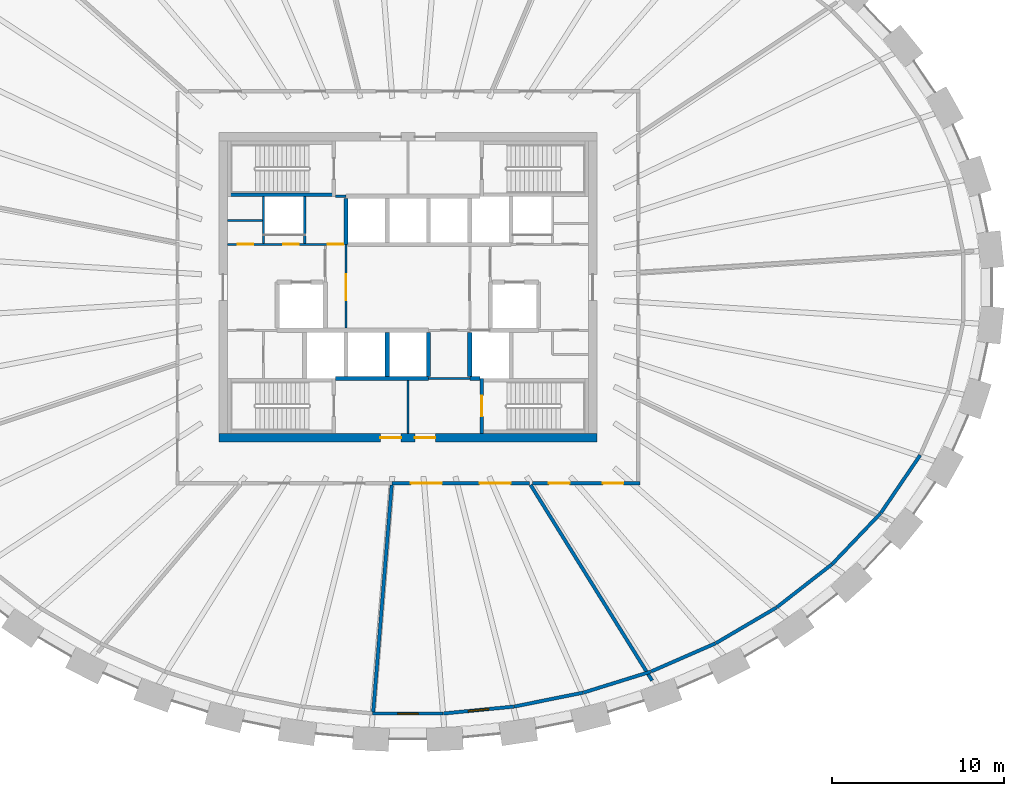
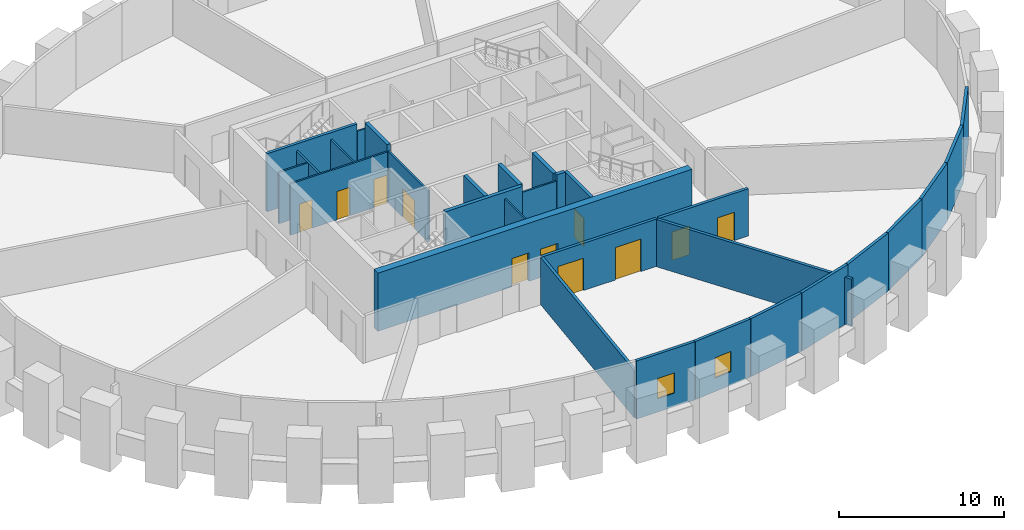
# One storey, part 4 of 8: 30 walls, 11 doors, 2 windows, 13 openings.
"""IFC4 building model written with IfcOpenShell, lengths in metres."""

from ifc_helpers import new_model, si_unit, direction, frame, frame_2d, origin, place, context, subcontext, project, spatial, rectangle, extrude, source, transform, mapped, material, layer, layer_set, type_object, element, fill, save


model = new_model("IFC4")

# Units and contexts
model_context = context("Model", 3, precision=1e-05, world=origin(), true_north=direction((0.0, 1.0)))
body_context = subcontext(model_context, "Body", "Model", "MODEL_VIEW")
ifc_project = project(units=[si_unit("LENGTHUNIT", "METRE"), si_unit("AREAUNIT", "SQUARE_METRE"), si_unit("VOLUMEUNIT", "CUBIC_METRE"), si_unit("PLANEANGLEUNIT", "RADIAN"), si_unit("MASSUNIT", "GRAM", prefix="KILO")], contexts=[model_context])

# Site, building, storey
site_placement = place(None, origin())
site = spatial("IfcSite", under=ifc_project, at=site_placement, CompositionType="ELEMENT")
building_placement = place(site_placement, origin())
building = spatial("IfcBuilding", under=site, at=building_placement, Name="Embergate Tower", CompositionType="ELEMENT")
storey_placement = place(building_placement, frame((0.0, 0.0, 241.60009765625)))
storey = spatial("IfcBuildingStorey", under=building, at=storey_placement, Name="L55", CompositionType="ELEMENT", Elevation=241.60009765625)

# Wall, openings, doors
ifc_material_1 = material(Name="Concrete C50", Category="concrete")
ifc_layer_1 = layer(ifc_material_1, 0.5)
ifc_layer_set_1 = layer_set([ifc_layer_1], Name="Concrete C50")
wall_type_1 = type_object("IfcWallType", Name="Core outer wall C50 500", PredefinedType="SHEAR", material=ifc_layer_set_1)
shared_shape_1 = source(origin(), body_context, "Body", "SweptSolid", [
    extrude(rectangle(XDim=22.0, YDim=0.5, at=frame_2d((11.0, 0.0))), origin(), (0.0, 0.0, 1.0), 4.2998046875),
])
wall_1_placement = place(storey_placement, frame((-11.0, -8.75, 0.0), z_axis=(0.0, 0.0, 1.0), x_axis=(1.0, 0.0, 0.0)))
wall_1 = element("IfcWall", 1, at=wall_1_placement, inside=storey, type_object=wall_type_1, Name="CW-L55-S", PredefinedType="SHEAR", context=body_context, shape_type="MappedRepresentation", body=[
    mapped(shared_shape_1, transform((0.0, 0.0, 0.0))),
])
shared_shape_2 = source(origin(), body_context, "Body", "SweptSolid", [
    extrude(rectangle(XDim=1.199951171875, YDim=2.10009765625, at=frame_2d((0.60009765625, 1.050048828125))), frame((0.0, 0.260009765625, 0.0), z_axis=(0.0, -1.0, 0.0), x_axis=(1.0, 0.0, 0.0)), (0.0, 0.0, 1.0), 0.52001953125),
])
opening_1_placement = place(wall_1_placement, frame((9.39990234375, 0.0, 0.0)))
opening_1 = element("IfcOpeningElement", 2, at=opening_1_placement, cuts=wall_1, Name="Opening IF-1", PredefinedType="OPENING", context=body_context, shape_type="MappedRepresentation", body=[
    mapped(shared_shape_2, transform((0.0, 0.0, 0.0))),
])
opening_2_placement = place(wall_1_placement, frame((11.39990234375, 0.0, 0.0)))
opening_2 = element("IfcOpeningElement", 3, at=opening_2_placement, cuts=wall_1, Name="Opening IF-1", PredefinedType="OPENING", context=body_context, shape_type="MappedRepresentation", body=[
    mapped(shared_shape_2, transform((0.0, 0.0, 0.0))),
])
ifc_material_2 = material(Name="Escape fire door 1200")
door_type_1 = type_object("IfcDoorType", Name="Escape fire door 1200", OperationType="SINGLE_SWING_LEFT", PredefinedType="DOOR", material=ifc_material_2)
shared_shape_3 = source(origin(), body_context, "Body", "SweptSolid", [
    extrude(rectangle(XDim=1.199951171875, YDim=2.10009765625, at=frame_2d((0.60009765625, 1.050048828125))), frame((0.0, 0.02490234375, 0.0), z_axis=(0.0, -1.0, 0.0), x_axis=(1.0, 0.0, 0.0)), (0.0, 0.0, 1.0), 0.050048828125),
])
door_1_placement = place(opening_1_placement, origin())
door_1 = element("IfcDoor", 4, at=door_1_placement, inside=storey, type_object=door_type_1, Name="IF-1 door", OperationType="SINGLE_SWING_LEFT", OverallHeight=2.10009765625, OverallWidth=1.199951171875, PredefinedType="DOOR", context=body_context, shape_type="MappedRepresentation", body=[
    mapped(shared_shape_3, transform((0.0, 0.0, 0.0))),
])
fill(opening_1, door_1)
door_2_placement = place(opening_2_placement, origin())
door_2 = element("IfcDoor", 5, at=door_2_placement, inside=storey, type_object=door_type_1, Name="IF-1 door", OperationType="SINGLE_SWING_LEFT", OverallHeight=2.10009765625, OverallWidth=1.199951171875, PredefinedType="DOOR", context=body_context, shape_type="MappedRepresentation", body=[
    mapped(shared_shape_3, transform((0.0, 0.0, 0.0))),
])
fill(opening_2, door_2)

# Walls
ifc_material_3 = material(Name="Terracotta louvre cladding on insulated backing", Category="masonry")
ifc_layer_2 = layer(ifc_material_3, 0.199951171875)
ifc_layer_set_2 = layer_set([ifc_layer_2], Name="Terracotta louvre cladding on insulated backing")
wall_type_2 = type_object("IfcWallType", Name="Terracotta louvre wall", PredefinedType="SOLIDWALL", material=ifc_layer_set_2)
shared_shape_4 = source(origin(), body_context, "Body", "SweptSolid", [
    extrude(rectangle(XDim=4.066650390625, YDim=0.199951171875, at=frame_2d((2.033203125, 0.0))), origin(), (0.0, 0.0, 1.0), 4.2998046875),
])
wall_2_placement = place(storey_placement, frame((29.794921875, -9.756591796875, 0.0), z_axis=(0.0, 0.0, 1.0), x_axis=(-0.562337936213, -0.826907519312, 0.0)))
element("IfcWall", 6, at=wall_2_placement, inside=storey, type_object=wall_type_2, Name="Louvre wall 41", PredefinedType="SOLIDWALL", context=body_context, shape_type="MappedRepresentation", body=[
    mapped(shared_shape_4, transform((0.0, 0.0, 0.0))),
])
shared_shape_5 = source(origin(), body_context, "Body", "SweptSolid", [
    extrude(rectangle(XDim=4.0751953125, YDim=0.199951171875, at=frame_2d((2.03759765625, 0.0))), origin(), (0.0, 0.0, 1.0), 4.2998046875),
])
wall_3_placement = place(storey_placement, frame((27.49560546875, -13.135009765625, 0.0), z_axis=(0.0, 0.0, 1.0), x_axis=(-0.690133711383, -0.723681877908, 0.0)))
element("IfcWall", 7, at=wall_3_placement, inside=storey, type_object=wall_type_2, Name="Louvre wall 40", PredefinedType="SOLIDWALL", context=body_context, shape_type="MappedRepresentation", body=[
    mapped(shared_shape_5, transform((0.0, 0.0, 0.0))),
])
shared_shape_6 = source(origin(), body_context, "Body", "SweptSolid", [
    extrude(rectangle(XDim=4.0830078125, YDim=0.199951171875, at=frame_2d((2.04150390625, 0.0))), origin(), (0.0, 0.0, 1.0), 4.2998046875),
])
wall_4_placement = place(storey_placement, frame((24.668212890625, -16.09765625, 0.0), z_axis=(0.0, 0.0, 1.0), x_axis=(-0.788314368781, -0.615272667988, 0.0)))
element("IfcWall", 8, at=wall_4_placement, inside=storey, type_object=wall_type_2, Name="Louvre wall 39", PredefinedType="SOLIDWALL", context=body_context, shape_type="MappedRepresentation", body=[
    mapped(shared_shape_6, transform((0.0, 0.0, 0.0))),
])
shared_shape_7 = source(origin(), body_context, "Body", "SweptSolid", [
    extrude(rectangle(XDim=4.0888671875, YDim=0.199951171875, at=frame_2d((2.04443359375, 0.0))), origin(), (0.0, 0.0, 1.0), 4.2998046875),
])
wall_5_placement = place(storey_placement, frame((21.43310546875, -18.62109375, 0.0), z_axis=(0.0, 0.0, 1.0), x_axis=(-0.862063119584, -0.506800925269, 0.0)))
element("IfcWall", 9, at=wall_5_placement, inside=storey, type_object=wall_type_2, Name="Louvre wall 38", PredefinedType="SOLIDWALL", context=body_context, shape_type="MappedRepresentation", body=[
    mapped(shared_shape_7, transform((0.0, 0.0, 0.0))),
])
shared_shape_8 = source(origin(), body_context, "Body", "SweptSolid", [
    extrude(rectangle(XDim=4.09375, YDim=0.199951171875, at=frame_2d((2.046875, 0.0))), origin(), (0.0, 0.0, 1.0), 4.2998046875),
])
wall_6_placement = place(storey_placement, frame((17.890380859375, -20.702392578125, 0.0), z_axis=(0.0, 0.0, 1.0), x_axis=(-0.916229864061, -0.400653012222, 0.0)))
element("IfcWall", 10, at=wall_6_placement, inside=storey, type_object=wall_type_2, Name="Louvre wall 37", PredefinedType="SOLIDWALL", context=body_context, shape_type="MappedRepresentation", body=[
    mapped(shared_shape_8, transform((0.0, 0.0, 0.0))),
])
shared_shape_9 = source(origin(), body_context, "Body", "SweptSolid", [
    extrude(rectangle(XDim=4.096923828125, YDim=0.199951171875, at=frame_2d((2.04833984375, 0.0))), origin(), (0.0, 0.0, 1.0), 4.2998046875),
])
wall_7_placement = place(storey_placement, frame((14.120849609375, -22.349609375, 0.0), z_axis=(0.0, 0.0, 1.0), x_axis=(-0.954782746395, -0.297304401558, 0.0)))
element("IfcWall", 11, at=wall_7_placement, inside=storey, type_object=wall_type_2, Name="Louvre wall 36", PredefinedType="SOLIDWALL", context=body_context, shape_type="MappedRepresentation", body=[
    mapped(shared_shape_9, transform((0.0, 0.0, 0.0))),
])
shared_shape_10 = source(origin(), body_context, "Body", "SweptSolid", [
    extrude(rectangle(XDim=4.09912109375, YDim=0.199951171875, at=frame_2d((2.049560546875, 0.0))), origin(), (0.0, 0.0, 1.0), 4.2998046875),
])
wall_8_placement = place(storey_placement, frame((10.18994140625, -23.572509765625, 0.0), z_axis=(0.0, 0.0, 1.0), x_axis=(-0.980470565335, -0.196665885478, 0.0)))
element("IfcWall", 12, at=wall_8_placement, inside=storey, type_object=wall_type_2, Name="Louvre wall 35", PredefinedType="SOLIDWALL", context=body_context, shape_type="MappedRepresentation", body=[
    mapped(shared_shape_10, transform((0.0, 0.0, 0.0))),
])

# Wall, opening, window
shared_shape_11 = source(origin(), body_context, "Body", "SweptSolid", [
    extrude(rectangle(XDim=4.1005859375, YDim=0.199951171875, at=frame_2d((2.05029296875, 0.0))), origin(), (0.0, 0.0, 1.0), 4.2998046875),
])
wall_9_placement = place(storey_placement, frame((2.05029296875, -24.78369140625, 0.0), z_axis=(0.0, 0.0, 1.0), x_axis=(-1.0, 0.0, 0.0)))
wall_9 = element("IfcWall", 13, at=wall_9_placement, inside=storey, type_object=wall_type_2, Name="Louvre wall 33", PredefinedType="SOLIDWALL", context=body_context, shape_type="MappedRepresentation", body=[
    mapped(shared_shape_11, transform((0.0, 0.0, 0.0))),
])
shared_shape_12 = source(origin(), body_context, "Body", "SweptSolid", [
    extrude(rectangle(XDim=1.199951171875, YDim=1.5, at=frame_2d((0.60009765625, 0.75))), frame((0.0, 0.10986328125, 0.0), z_axis=(0.0, -1.0, 0.0), x_axis=(1.0, 0.0, 0.0)), (0.0, 0.0, 1.0), 0.219970703125),
])
opening_3_placement = place(wall_9_placement, frame((1.450439453125, 0.0, 1.0)))
opening_3 = element("IfcOpeningElement", 14, at=opening_3_placement, cuts=wall_9, Name="Opening RW", PredefinedType="OPENING", context=body_context, shape_type="MappedRepresentation", body=[
    mapped(shared_shape_12, transform((0.0, 0.0, 0.0))),
])
ifc_material_4 = material(Name="Aluminium, thermally broken, triple glazed", Category="aluminium")
window_type = type_object("IfcWindowType", Name="Refuge operable window", PartitioningType="SINGLE_PANEL", PredefinedType="WINDOW", material=ifc_material_4)
shared_shape_13 = source(origin(), body_context, "Body", "SweptSolid", [
    extrude(rectangle(XDim=1.199951171875, YDim=1.5, at=frame_2d((0.60009765625, 0.75))), frame((0.0, 0.030029296875, 0.0), z_axis=(0.0, -1.0, 0.0), x_axis=(1.0, 0.0, 0.0)), (0.0, 0.0, 1.0), 0.06005859375),
])
window_1_placement = place(opening_3_placement, origin())
window_1 = element("IfcWindow", 15, at=window_1_placement, inside=storey, type_object=window_type, Name="Refuge window 33", OverallHeight=1.5, OverallWidth=1.199951171875, PartitioningType="SINGLE_PANEL", PredefinedType="WINDOW", context=body_context, shape_type="MappedRepresentation", body=[
    mapped(shared_shape_13, transform((0.0, 0.0, 0.0))),
])
fill(opening_3, window_1)

wall_10_placement = place(storey_placement, frame((6.151123046875, -24.381591796875, 0.0), z_axis=(0.0, 0.0, 1.0), x_axis=(-0.995203779516, -0.097823500433, 0.0)))
wall_10 = element("IfcWall", 16, at=wall_10_placement, inside=storey, type_object=wall_type_2, Name="Louvre wall 34", PredefinedType="SOLIDWALL", context=body_context, shape_type="MappedRepresentation", body=[
    mapped(shared_shape_11, transform((0.0, 0.0, 0.0))),
])
opening_4_placement = place(wall_10_placement, frame((1.4501953125, 0.0, 1.0)))
opening_4 = element("IfcOpeningElement", 17, at=opening_4_placement, cuts=wall_10, Name="Opening RW", PredefinedType="OPENING", context=body_context, shape_type="MappedRepresentation", body=[
    mapped(shared_shape_12, transform((0.0, 0.0, 0.0))),
])
window_2_placement = place(opening_4_placement, origin())
window_2 = element("IfcWindow", 18, at=window_2_placement, inside=storey, type_object=window_type, Name="Refuge window 34", OverallHeight=1.5, OverallWidth=1.199951171875, PartitioningType="SINGLE_PANEL", PredefinedType="WINDOW", context=body_context, shape_type="MappedRepresentation", body=[
    mapped(shared_shape_13, transform((0.0, 0.0, 0.0))),
])
fill(opening_4, window_2)

# Walls
ifc_layer_3 = layer(ifc_material_1, 0.25)
ifc_layer_set_3 = layer_set([ifc_layer_3], Name="Concrete C50")
wall_type_3 = type_object("IfcWallType", Name="Hoistway wall reinforced concrete 250", PredefinedType="SHEAR", material=ifc_layer_set_3)
shared_shape_14 = source(origin(), body_context, "Body", "SweptSolid", [
    extrude(rectangle(XDim=2.675048828125, YDim=0.25, at=frame_2d((1.33740234375, 0.0))), origin(), (0.0, 0.0, 1.0), 4.2998046875),
])
wall_11_placement = place(storey_placement, frame((-3.60009765625, 5.175048828125, 0.0), z_axis=(0.0, 0.0, 1.0), x_axis=(0.0, -1.0, 0.0)))
element("IfcWall", 19, at=wall_11_placement, inside=storey, type_object=wall_type_3, Name="HW-1 wall", PredefinedType="SHEAR", context=body_context, shape_type="MappedRepresentation", body=[
    mapped(shared_shape_14, transform((0.0, 0.0, 0.0))),
])
ifc_layer_4 = layer(ifc_material_1, 0.199951171875)
ifc_layer_set_4 = layer_set([ifc_layer_4], Name="Concrete C50")
wall_type_4 = type_object("IfcWallType", Name="Stair enclosure wall reinforced concrete 250", PredefinedType="SHEAR", material=ifc_layer_set_4)
shared_shape_15 = source(origin(), body_context, "Body", "SweptSolid", [
    extrude(rectangle(XDim=6.300048828125, YDim=0.199951171875, at=frame_2d((3.14990234375, 0.0))), origin(), (0.0, 0.0, 1.0), 4.2998046875),
])
wall_12_placement = place(storey_placement, frame((-4.199951171875, 5.39990234375, 0.0), z_axis=(0.0, 0.0, 1.0), x_axis=(-1.0, 0.0, 0.0)))
element("IfcWall", 20, at=wall_12_placement, inside=storey, type_object=wall_type_4, Name="SE-1 wall", PredefinedType="SHEAR", context=body_context, shape_type="MappedRepresentation", body=[
    mapped(shared_shape_15, transform((0.0, 0.0, 0.0))),
])
ifc_material_5 = material(Name="Core partition blockwork 120")
ifc_layer_5 = layer(ifc_material_5, 0.1201171875)
ifc_layer_set_5 = layer_set([ifc_layer_5], Name="Core partition blockwork 120")
wall_type_5 = type_object("IfcWallType", Name="Core partition blockwork 120", PredefinedType="PARTITIONING", material=ifc_layer_set_5)
shared_shape_16 = source(origin(), body_context, "Body", "SweptSolid", [
    extrude(rectangle(XDim=2.739990234375, YDim=0.1201171875, at=frame_2d((1.3701171875, 0.0))), origin(), (0.0, 0.0, 1.0), 3.7998046875),
])
wall_13_placement = place(storey_placement, frame((-6.0, 2.56005859375, 0.0), z_axis=(0.0, 0.0, 1.0), x_axis=(0.0, 1.0, 0.0)))
element("IfcWall", 21, at=wall_13_placement, inside=storey, type_object=wall_type_5, Name="IP-3 wall", PredefinedType="PARTITIONING", context=body_context, shape_type="MappedRepresentation", body=[
    mapped(shared_shape_16, transform((0.0, 0.0, 0.0))),
])
shared_shape_17 = source(origin(), body_context, "Body", "SweptSolid", [
    extrude(rectangle(XDim=2.550048828125, YDim=0.25, at=frame_2d((1.27490234375, 0.0))), origin(), (0.0, 0.0, 1.0), 4.2998046875),
])
for number, where, z_axis, x_axis, name in (
    (22, (-1.199951171875, -5.175048828125, 0.0), (0.0, 0.0, 1.0), (0.0, 1.0, 0.0), "HW-1 wall"),
    (23, (1.199951171875, -5.175048828125, 0.0), (0.0, 0.0, 1.0), (0.0, 1.0, 0.0), "HW-1 wall"),
    (24, (3.60009765625, -2.625, 0.0), (0.0, 0.0, 1.0), (0.0, -1.0, 0.0), "HW-1 wall"),
):
    element("IfcWall", number, at=place(storey_placement, frame(where, z_axis=z_axis, x_axis=x_axis)), inside=storey, type_object=wall_type_3, Name=name, PredefinedType="SHEAR", context=body_context, shape_type="MappedRepresentation", body=[
        mapped(shared_shape_17, transform((0.0, 0.0, 0.0))),
    ])

# Wall, opening, door
shared_shape_18 = source(origin(), body_context, "Body", "SweptSolid", [
    extrude(rectangle(XDim=3.199951171875, YDim=0.199951171875, at=frame_2d((1.60009765625, 0.0))), origin(), (0.0, 0.0, 1.0), 4.2998046875),
])
wall_14_placement = place(storey_placement, frame((4.300048828125, -5.300048828125, 0.0), z_axis=(0.0, 0.0, 1.0), x_axis=(0.0, -1.0, 0.0)))
wall_14 = element("IfcWall", 25, at=wall_14_placement, inside=storey, type_object=wall_type_4, Name="SE-1 wall", PredefinedType="SHEAR", context=body_context, shape_type="MappedRepresentation", body=[
    mapped(shared_shape_18, transform((0.0, 0.0, 0.0))),
])
shared_shape_19 = source(origin(), body_context, "Body", "SweptSolid", [
    extrude(rectangle(XDim=1.199951171875, YDim=2.10009765625, at=frame_2d((0.60009765625, 1.050048828125))), frame((0.0, 0.10986328125, 0.0), z_axis=(0.0, -1.0, 0.0), x_axis=(1.0, 0.0, 0.0)), (0.0, 0.0, 1.0), 0.219970703125),
])
opening_5_placement = place(wall_14_placement, frame((1.0, 0.0, 0.0)))
opening_5 = element("IfcOpeningElement", 26, at=opening_5_placement, cuts=wall_14, Name="Opening IF-2", PredefinedType="OPENING", context=body_context, shape_type="MappedRepresentation", body=[
    mapped(shared_shape_19, transform((0.0, 0.0, 0.0))),
])
ifc_material_6 = material(Name="Stair enclosure door 1200")
door_type_2 = type_object("IfcDoorType", Name="Stair enclosure door 1200", OperationType="SINGLE_SWING_LEFT", PredefinedType="DOOR", material=ifc_material_6)
door_3_placement = place(opening_5_placement, origin())
door_3 = element("IfcDoor", 27, at=door_3_placement, inside=storey, type_object=door_type_2, Name="IF-2 door", OperationType="SINGLE_SWING_LEFT", OverallHeight=2.10009765625, OverallWidth=1.199951171875, PredefinedType="DOOR", context=body_context, shape_type="MappedRepresentation", body=[
    mapped(shared_shape_3, transform((0.0, 0.0, 0.0))),
])
fill(opening_5, door_3)

# Wall
shared_shape_20 = source(origin(), body_context, "Body", "SweptSolid", [
    extrude(rectangle(XDim=0.599853515625, YDim=0.25, at=frame_2d((0.2998046875, 0.0))), origin(), (0.0, 0.0, 1.0), 4.2998046875),
])
wall_15_placement = place(storey_placement, frame((3.60009765625, -5.300048828125, 0.0), z_axis=(0.0, 0.0, 1.0), x_axis=(1.0, 0.0, 0.0)))
element("IfcWall", 28, at=wall_15_placement, inside=storey, type_object=wall_type_3, Name="HW-1 wall", PredefinedType="SHEAR", context=body_context, shape_type="MappedRepresentation", body=[
    mapped(shared_shape_20, transform((0.0, 0.0, 0.0))),
])

# Wall, openings, doors
shared_shape_21 = source(origin(), body_context, "Body", "SweptSolid", [
    extrude(rectangle(XDim=6.77490234375, YDim=0.1201171875, at=frame_2d((3.387451171875, 0.0))), origin(), (0.0, 0.0, 1.0), 3.7998046875),
])
wall_16_placement = place(storey_placement, frame((-10.5, 2.5, 0.0), z_axis=(0.0, 0.0, 1.0), x_axis=(1.0, 0.0, 0.0)))
wall_16 = element("IfcWall", 29, at=wall_16_placement, inside=storey, type_object=wall_type_5, Name="IP-3 wall", PredefinedType="PARTITIONING", context=body_context, shape_type="MappedRepresentation", body=[
    mapped(shared_shape_21, transform((0.0, 0.0, 0.0))),
])
shared_shape_22 = source(origin(), body_context, "Body", "SweptSolid", [
    extrude(rectangle(XDim=0.89990234375, YDim=2.10009765625, at=frame_2d((0.449951171875, 1.050048828125))), frame((0.0, 0.070068359375, 0.0), z_axis=(0.0, -1.0, 0.0), x_axis=(1.0, 0.0, 0.0)), (0.0, 0.0, 1.0), 0.14013671875),
])
opening_6_placement = place(wall_16_placement, frame((3.25, 0.0, 0.0)))
opening_6 = element("IfcOpeningElement", 30, at=opening_6_placement, cuts=wall_16, Name="Opening ID-1", PredefinedType="OPENING", context=body_context, shape_type="MappedRepresentation", body=[
    mapped(shared_shape_22, transform((0.0, 0.0, 0.0))),
])
opening_7_placement = place(wall_16_placement, frame((5.85009765625, 0.0, 0.0)))
opening_7 = element("IfcOpeningElement", 31, at=opening_7_placement, cuts=wall_16, Name="Opening ID-1", PredefinedType="OPENING", context=body_context, shape_type="MappedRepresentation", body=[
    mapped(shared_shape_22, transform((0.0, 0.0, 0.0))),
])
opening_8_placement = place(wall_16_placement, frame((0.60009765625, 0.0, 0.0)))
opening_8 = element("IfcOpeningElement", 32, at=opening_8_placement, cuts=wall_16, Name="Opening ID-1", PredefinedType="OPENING", context=body_context, shape_type="MappedRepresentation", body=[
    mapped(shared_shape_22, transform((0.0, 0.0, 0.0))),
])
ifc_material_7 = material(Name="Interior door 900")
door_type_3 = type_object("IfcDoorType", Name="Interior door 900", OperationType="SINGLE_SWING_LEFT", PredefinedType="DOOR", material=ifc_material_7)
shared_shape_23 = source(origin(), body_context, "Body", "SweptSolid", [
    extrude(rectangle(XDim=0.89990234375, YDim=2.10009765625, at=frame_2d((0.449951171875, 1.050048828125))), frame((0.0, 0.02490234375, 0.0), z_axis=(0.0, -1.0, 0.0), x_axis=(1.0, 0.0, 0.0)), (0.0, 0.0, 1.0), 0.050048828125),
])
door_4_placement = place(opening_6_placement, origin())
door_4 = element("IfcDoor", 33, at=door_4_placement, inside=storey, type_object=door_type_3, Name="ID-1 door", OperationType="SINGLE_SWING_RIGHT", OverallHeight=2.10009765625, OverallWidth=0.89990234375, PredefinedType="DOOR", context=body_context, shape_type="MappedRepresentation", body=[
    mapped(shared_shape_23, transform((0.0, 0.0, 0.0))),
])
fill(opening_6, door_4)
door_5_placement = place(opening_7_placement, origin())
door_5 = element("IfcDoor", 34, at=door_5_placement, inside=storey, type_object=door_type_3, Name="ID-1 door", OperationType="SINGLE_SWING_RIGHT", OverallHeight=2.10009765625, OverallWidth=0.89990234375, PredefinedType="DOOR", context=body_context, shape_type="MappedRepresentation", body=[
    mapped(shared_shape_23, transform((0.0, 0.0, 0.0))),
])
fill(opening_7, door_5)
door_6_placement = place(opening_8_placement, origin())
door_6 = element("IfcDoor", 35, at=door_6_placement, inside=storey, type_object=door_type_3, Name="ID-1 door", OperationType="SINGLE_SWING_RIGHT", OverallHeight=2.10009765625, OverallWidth=0.89990234375, PredefinedType="DOOR", context=body_context, shape_type="MappedRepresentation", body=[
    mapped(shared_shape_23, transform((0.0, 0.0, 0.0))),
])
fill(opening_8, door_6)

# Walls
shared_shape_24 = source(origin(), body_context, "Body", "SweptSolid", [
    extrude(rectangle(XDim=2.738037109375, YDim=0.1201171875, at=frame_2d((1.369140625, 0.0))), origin(), (0.0, 0.0, 1.0), 3.7998046875),
])
wall_17_placement = place(storey_placement, frame((-8.39990234375, 5.298095703125, 0.0), z_axis=(0.0, 0.0, 1.0), x_axis=(0.0, -1.0, 0.0)))
element("IfcWall", 36, at=wall_17_placement, inside=storey, type_object=wall_type_5, Name="IP-3 wall", PredefinedType="PARTITIONING", context=body_context, shape_type="MappedRepresentation", body=[
    mapped(shared_shape_24, transform((0.0, 0.0, 0.0))),
])
shared_shape_25 = source(origin(), body_context, "Body", "SweptSolid", [
    extrude(rectangle(XDim=5.39990234375, YDim=0.25, at=frame_2d((2.699951171875, 0.0))), origin(), (0.0, 0.0, 1.0), 4.2998046875),
])
wall_18_placement = place(storey_placement, frame((-4.199951171875, -5.300048828125, 0.0), z_axis=(0.0, 0.0, 1.0), x_axis=(1.0, 0.0, 0.0)))
element("IfcWall", 37, at=wall_18_placement, inside=storey, type_object=wall_type_3, Name="HW-1 wall", PredefinedType="SHEAR", context=body_context, shape_type="MappedRepresentation", body=[
    mapped(shared_shape_25, transform((0.0, 0.0, 0.0))),
])

# Wall, opening, door
shared_shape_26 = source(origin(), body_context, "Body", "SweptSolid", [
    extrude(rectangle(XDim=4.875, YDim=0.1201171875, at=frame_2d((2.4375, 0.0))), origin(), (0.0, 0.0, 1.0), 3.7998046875),
])
wall_19_placement = place(storey_placement, frame((-3.60009765625, -2.375, 0.0), z_axis=(0.0, 0.0, 1.0), x_axis=(0.0, 1.0, 0.0)))
wall_19 = element("IfcWall", 38, at=wall_19_placement, inside=storey, type_object=wall_type_5, Name="IP-3 wall", PredefinedType="PARTITIONING", context=body_context, shape_type="MappedRepresentation", body=[
    mapped(shared_shape_26, transform((0.0, 0.0, 0.0))),
])
shared_shape_27 = source(origin(), body_context, "Body", "SweptSolid", [
    extrude(rectangle(XDim=1.5, YDim=2.10009765625, at=frame_2d((0.75, 1.050048828125))), frame((0.0, 0.070068359375, 0.0), z_axis=(0.0, -1.0, 0.0), x_axis=(1.0, 0.0, 0.0)), (0.0, 0.0, 1.0), 0.14013671875),
])
opening_9_placement = place(wall_19_placement, frame((1.625, 0.0, 0.0)))
opening_9 = element("IfcOpeningElement", 39, at=opening_9_placement, cuts=wall_19, Name="Opening IF-3", PredefinedType="OPENING", context=body_context, shape_type="MappedRepresentation", body=[
    mapped(shared_shape_27, transform((0.0, 0.0, 0.0))),
])
ifc_material_8 = material(Name="Lobby fire door pair 1500")
door_type_4 = type_object("IfcDoorType", Name="Lobby fire door pair 1500", OperationType="DOUBLE_DOOR_SINGLE_SWING", PredefinedType="DOOR", material=ifc_material_8)
shared_shape_28 = source(origin(), body_context, "Body", "SweptSolid", [
    extrude(rectangle(XDim=1.5, YDim=2.10009765625, at=frame_2d((0.75, 1.050048828125))), frame((0.0, 0.02490234375, 0.0), z_axis=(0.0, -1.0, 0.0), x_axis=(1.0, 0.0, 0.0)), (0.0, 0.0, 1.0), 0.050048828125),
])
door_7_placement = place(opening_9_placement, origin())
door_7 = element("IfcDoor", 40, at=door_7_placement, inside=storey, type_object=door_type_4, Name="IF-3 door", OperationType="DOUBLE_DOOR_SINGLE_SWING", OverallHeight=2.10009765625, OverallWidth=1.5, PredefinedType="DOOR", context=body_context, shape_type="MappedRepresentation", body=[
    mapped(shared_shape_28, transform((0.0, 0.0, 0.0))),
])
fill(opening_9, door_7)

# Walls
shared_shape_29 = source(origin(), body_context, "Body", "SweptSolid", [
    extrude(rectangle(XDim=2.400146484375, YDim=0.1201171875, at=frame_2d((1.2001953125, 0.0))), origin(), (0.0, 0.0, 1.0), 3.7998046875),
])
wall_20_placement = place(storey_placement, frame((3.60009765625, -5.300048828125, 0.0), z_axis=(0.0, 0.0, 1.0), x_axis=(-1.0, 0.0, 0.0)))
element("IfcWall", 41, at=wall_20_placement, inside=storey, type_object=wall_type_5, Name="IP-3 wall", PredefinedType="PARTITIONING", context=body_context, shape_type="MappedRepresentation", body=[
    mapped(shared_shape_29, transform((0.0, 0.0, 0.0))),
])
shared_shape_30 = source(origin(), body_context, "Body", "SweptSolid", [
    extrude(rectangle(XDim=3.074951171875, YDim=0.1201171875, at=frame_2d((1.53759765625, 0.0))), origin(), (0.0, 0.0, 1.0), 3.7998046875),
])
wall_21_placement = place(storey_placement, frame((0.0, -8.5, 0.0), z_axis=(0.0, 0.0, 1.0), x_axis=(0.0, 1.0, 0.0)))
element("IfcWall", 42, at=wall_21_placement, inside=storey, type_object=wall_type_5, Name="IP-3 wall", PredefinedType="PARTITIONING", context=body_context, shape_type="MappedRepresentation", body=[
    mapped(shared_shape_30, transform((0.0, 0.0, 0.0))),
])
shared_shape_31 = source(origin(), body_context, "Body", "SweptSolid", [
    extrude(rectangle(XDim=0.599853515625, YDim=0.1201171875, at=frame_2d((0.2998046875, 0.0))), origin(), (0.0, 0.0, 1.0), 3.7998046875),
])
wall_22_placement = place(storey_placement, frame((-4.199951171875, 5.300048828125, 0.0), z_axis=(0.0, 0.0, 1.0), x_axis=(1.0, 0.0, 0.0)))
element("IfcWall", 43, at=wall_22_placement, inside=storey, type_object=wall_type_5, Name="IP-3 wall", PredefinedType="PARTITIONING", context=body_context, shape_type="MappedRepresentation", body=[
    mapped(shared_shape_31, transform((0.0, 0.0, 0.0))),
])
shared_shape_32 = source(origin(), body_context, "Body", "SweptSolid", [
    extrude(rectangle(XDim=2.0380859375, YDim=0.1201171875, at=frame_2d((1.01904296875, 0.0))), origin(), (0.0, 0.0, 1.0), 3.7998046875),
])
wall_23_placement = place(storey_placement, frame((-8.4619140625, 3.89990234375, 0.0), z_axis=(0.0, 0.0, 1.0), x_axis=(-1.0, 0.0, 0.0)))
element("IfcWall", 44, at=wall_23_placement, inside=storey, type_object=wall_type_5, Name="IP-3 wall", PredefinedType="PARTITIONING", context=body_context, shape_type="MappedRepresentation", body=[
    mapped(shared_shape_32, transform((0.0, 0.0, 0.0))),
])
ifc_material_9 = material(Name="Blockwork, plastered", Category="masonry")
ifc_layer_6 = layer(ifc_material_9, 0.199951171875)
ifc_layer_set_6 = layer_set([ifc_layer_6], Name="Blockwork, plastered")
wall_type_6 = type_object("IfcWallType", Name="Fire partition wall 200 block", PredefinedType="PARTITIONING", material=ifc_layer_set_6)
shared_shape_33 = source(origin(), body_context, "Body", "SweptSolid", [
    extrude(rectangle(XDim=13.23291015625, YDim=0.199951171875, at=frame_2d((6.616455078125, 0.0))), origin(), (0.0, 0.0, 1.0), 3.5),
])
wall_24_placement = place(storey_placement, frame((-0.93994140625, -11.5, 0.0), z_axis=(0.0, 0.0, 1.0), x_axis=(-0.081399412291, -0.996681561823, 0.0)))
element("IfcWall", 45, at=wall_24_placement, inside=storey, type_object=wall_type_6, Name="Partition 013", PredefinedType="PARTITIONING", context=body_context, shape_type="MappedRepresentation", body=[
    mapped(shared_shape_33, transform((0.0, 0.0, 0.0))),
])

# Wall, openings, doors
shared_shape_34 = source(origin(), body_context, "Body", "SweptSolid", [
    extrude(rectangle(XDim=8.013916015625, YDim=0.199951171875, at=frame_2d((4.0068359375, 0.0))), origin(), (0.0, 0.0, 1.0), 3.5),
])
wall_25_placement = place(storey_placement, frame((7.08203125, -11.39990234375, 0.0), z_axis=(0.0, 0.0, 1.0), x_axis=(-1.0, 0.0, 0.0)))
wall_25 = element("IfcWall", 46, at=wall_25_placement, inside=storey, type_object=wall_type_6, Name="Partition 016", PredefinedType="PARTITIONING", context=body_context, shape_type="MappedRepresentation", body=[
    mapped(shared_shape_34, transform((0.0, 0.0, 0.0))),
])
shared_shape_35 = source(origin(), body_context, "Body", "SweptSolid", [
    extrude(rectangle(XDim=1.800048828125, YDim=2.39990234375, at=frame_2d((0.89990234375, 1.199951171875))), frame((0.0, 0.10986328125, 0.0), z_axis=(0.0, -1.0, 0.0), x_axis=(1.0, 0.0, 0.0)), (0.0, 0.0, 1.0), 0.219970703125),
])
opening_10_placement = place(wall_25_placement, frame((1.10302734375, 0.0, 0.0)))
opening_10 = element("IfcOpeningElement", 47, at=opening_10_placement, cuts=wall_25, Name="Opening DS-237", PredefinedType="OPENING", context=body_context, shape_type="MappedRepresentation", body=[
    mapped(shared_shape_35, transform((0.0, 0.0, 0.0))),
])
opening_11_placement = place(wall_25_placement, frame((5.110107421875, 0.0, 0.0)))
opening_11 = element("IfcOpeningElement", 48, at=opening_11_placement, cuts=wall_25, Name="Opening DS-238", PredefinedType="OPENING", context=body_context, shape_type="MappedRepresentation", body=[
    mapped(shared_shape_35, transform((0.0, 0.0, 0.0))),
])
ifc_material_10 = material(Name="Timber door leaf, steel frame", Category="steel")
door_type_5 = type_object("IfcDoorType", Name="Double door 1800x2400", OperationType="DOUBLE_DOOR_SINGLE_SWING", PredefinedType="DOOR", material=ifc_material_10)
shared_shape_36 = source(origin(), body_context, "Body", "SweptSolid", [
    extrude(rectangle(XDim=1.800048828125, YDim=2.39990234375, at=frame_2d((0.89990234375, 1.199951171875))), frame((0.0, 0.02490234375, 0.0), z_axis=(0.0, -1.0, 0.0), x_axis=(1.0, 0.0, 0.0)), (0.0, 0.0, 1.0), 0.050048828125),
])
door_8_placement = place(opening_10_placement, origin())
door_8 = element("IfcDoor", 49, at=door_8_placement, inside=storey, type_object=door_type_5, Name="Door to Refuge area", OperationType="SINGLE_SWING_LEFT", OverallHeight=2.39990234375, OverallWidth=1.800048828125, PredefinedType="DOOR", context=body_context, shape_type="MappedRepresentation", body=[
    mapped(shared_shape_36, transform((0.0, 0.0, 0.0))),
])
fill(opening_10, door_8)
door_9_placement = place(opening_11_placement, origin())
door_9 = element("IfcDoor", 50, at=door_9_placement, inside=storey, type_object=door_type_5, Name="Door to Refuge area", OperationType="SINGLE_SWING_LEFT", OverallHeight=2.39990234375, OverallWidth=1.800048828125, PredefinedType="DOOR", context=body_context, shape_type="MappedRepresentation", body=[
    mapped(shared_shape_36, transform((0.0, 0.0, 0.0))),
])
fill(opening_11, door_9)

# Wall
shared_shape_37 = source(origin(), body_context, "Body", "SweptSolid", [
    extrude(rectangle(XDim=13.401123046875, YDim=0.199951171875, at=frame_2d((6.70068359375, 0.0))), origin(), (0.0, 0.0, 1.0), 3.5),
])
wall_26_placement = place(storey_placement, frame((7.135009765625, -11.485107421875, 0.0), z_axis=(0.0, 0.0, 1.0), x_axis=(0.527645358802, -0.849464758147, 0.0)))
element("IfcWall", 51, at=wall_26_placement, inside=storey, type_object=wall_type_6, Name="Partition 017", PredefinedType="PARTITIONING", context=body_context, shape_type="MappedRepresentation", body=[
    mapped(shared_shape_37, transform((0.0, 0.0, 0.0))),
])

# Wall, openings, doors
shared_shape_38 = source(origin(), body_context, "Body", "SweptSolid", [
    extrude(rectangle(XDim=6.258056640625, YDim=0.199951171875, at=frame_2d((3.12890625, 0.0))), origin(), (0.0, 0.0, 1.0), 3.5),
])
wall_27_placement = place(storey_placement, frame((13.5, -11.39990234375, 0.0), z_axis=(0.0, 0.0, 1.0), x_axis=(-1.0, 0.0, 0.0)))
wall_27 = element("IfcWall", 52, at=wall_27_placement, inside=storey, type_object=wall_type_6, Name="Partition 018", PredefinedType="PARTITIONING", context=body_context, shape_type="MappedRepresentation", body=[
    mapped(shared_shape_38, transform((0.0, 0.0, 0.0))),
])
opening_12_placement = place(wall_27_placement, frame((0.965087890625, 0.0, 0.0)))
opening_12 = element("IfcOpeningElement", 53, at=opening_12_placement, cuts=wall_27, Name="Opening DS-239", PredefinedType="OPENING", context=body_context, shape_type="MappedRepresentation", body=[
    mapped(shared_shape_19, transform((0.0, 0.0, 0.0))),
])
opening_13_placement = place(wall_27_placement, frame((4.093994140625, 0.0, 0.0)))
opening_13 = element("IfcOpeningElement", 54, at=opening_13_placement, cuts=wall_27, Name="Opening DS-240", PredefinedType="OPENING", context=body_context, shape_type="MappedRepresentation", body=[
    mapped(shared_shape_19, transform((0.0, 0.0, 0.0))),
])
door_type_6 = type_object("IfcDoorType", Name="Plant door 1200x2100", OperationType="SINGLE_SWING_LEFT", PredefinedType="DOOR", material=ifc_material_10)
shared_shape_39 = source(origin(), body_context, "Body", "SweptSolid", [
    extrude(rectangle(XDim=1.199951171875, YDim=2.10009765625, at=frame_2d((0.60009765625, 1.050048828125))), frame((0.0, 0.02490234375, 0.0), z_axis=(0.0, -1.0, 0.0), x_axis=(1.0, 0.0, 0.0)), (0.0, 0.0, 1.0), 0.050048828125),
])
door_10_placement = place(opening_12_placement, origin())
door_10 = element("IfcDoor", 55, at=door_10_placement, inside=storey, type_object=door_type_6, Name="Door to Water tank room", OperationType="SINGLE_SWING_LEFT", OverallHeight=2.10009765625, OverallWidth=1.199951171875, PredefinedType="DOOR", context=body_context, shape_type="MappedRepresentation", body=[
    mapped(shared_shape_39, transform((0.0, 0.0, 0.0))),
])
fill(opening_12, door_10)
door_11_placement = place(opening_13_placement, origin())
door_11 = element("IfcDoor", 56, at=door_11_placement, inside=storey, type_object=door_type_6, Name="Door to Water tank room", OperationType="SINGLE_SWING_LEFT", OverallHeight=2.10009765625, OverallWidth=1.199951171875, PredefinedType="DOOR", context=body_context, shape_type="MappedRepresentation", body=[
    mapped(shared_shape_39, transform((0.0, 0.0, 0.0))),
])
fill(opening_13, door_11)

save(model, "model.ifc")
